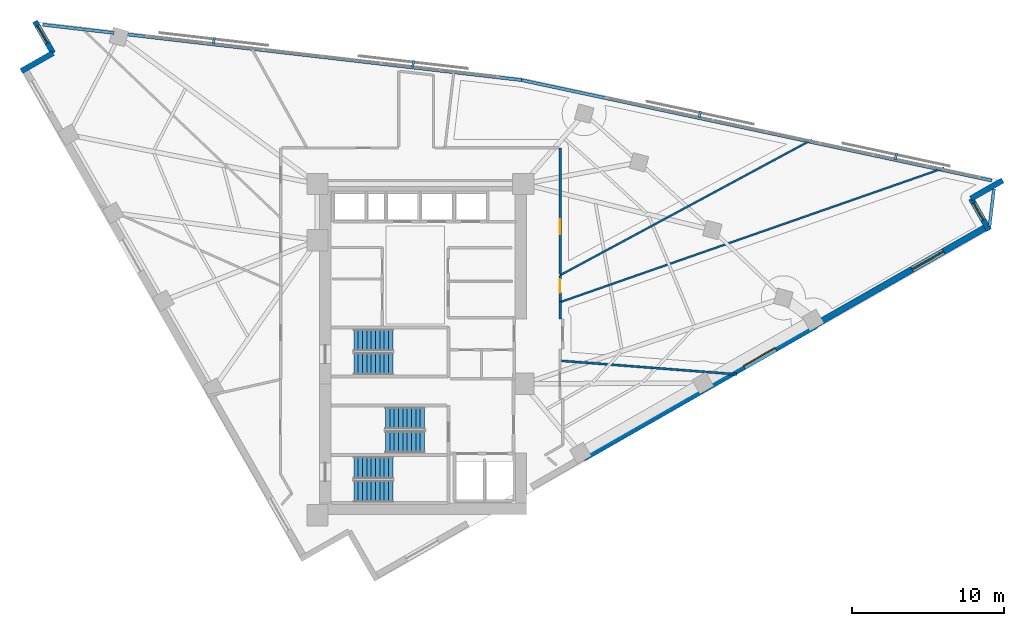
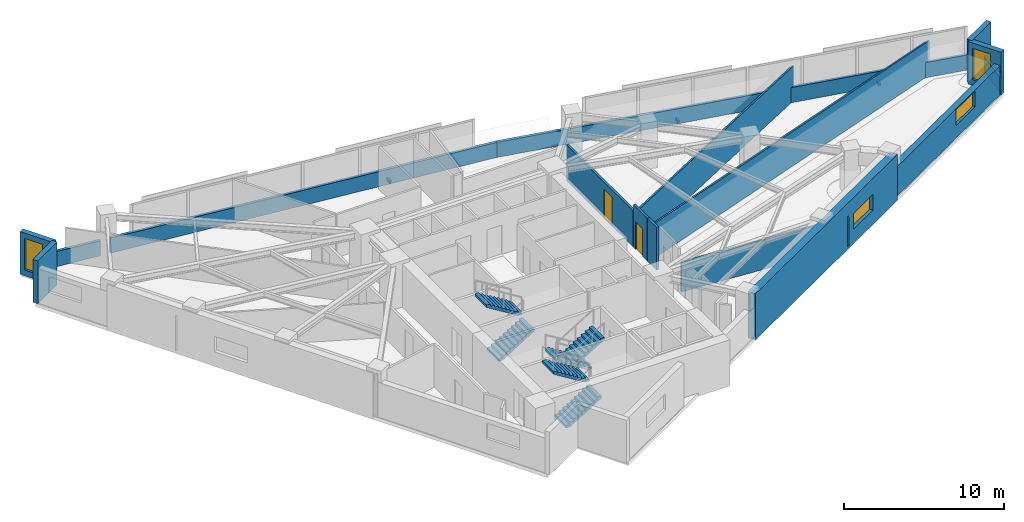
# One storey, part 12 of 14: 16 walls, 6 stair flights, 4 discrete accessories, 4 windows, 2 doors, 6 openings, 3 elements without a shape of their own.
"""IFC4 building model written with IfcOpenShell, lengths in metres."""

from ifc_helpers import new_model, si_unit, direction, frame, frame_2d, origin, origin_2d, place, context, subcontext, project, spatial, polyline, rectangle, outline, extrude, material, layer, layer_set, type_object, element, fill, aggregate, save


model = new_model("IFC4")

# Units and contexts
model_context = context("Model", 3, precision=1e-05, world=origin(), true_north=direction((0.0, 1.0)))
body_context = subcontext(model_context, "Body", "Model", "MODEL_VIEW")
ifc_project = project(units=[si_unit("LENGTHUNIT", "METRE"), si_unit("AREAUNIT", "SQUARE_METRE"), si_unit("VOLUMEUNIT", "CUBIC_METRE"), si_unit("PLANEANGLEUNIT", "RADIAN"), si_unit("MASSUNIT", "GRAM", prefix="KILO")], contexts=[model_context])

# Site, building, storey
site_placement = place(None, origin())
site = spatial("IfcSite", under=ifc_project, at=site_placement, CompositionType="ELEMENT")
building_placement = place(site_placement, origin())
building = spatial("IfcBuilding", under=site, at=building_placement, Name="Narakoshi Arena Tower", CompositionType="ELEMENT")
storey_placement = place(building_placement, frame((0.0, 0.0, 218.5)))
storey = spatial("IfcBuildingStorey", under=building, at=storey_placement, Name="L59", CompositionType="ELEMENT", Elevation=218.5)

# Wall
ifc_material_1 = material(Name="Gypsum plasterboard fire-rated partition")
ifc_layer_1 = layer(ifc_material_1, 0.1650390625)
ifc_layer_set_1 = layer_set([ifc_layer_1], Name="Gypsum plasterboard fire-rated partition")
wall_type_1 = type_object("IfcWallType", Name="WL-CORR-165", PredefinedType="PARTITIONING", material=ifc_layer_set_1)
wall_1_placement = place(storey_placement, frame((87.97216796875, 47.6201171875, 0.0), z_axis=(0.0, 0.0, 1.0), x_axis=(0.0, 1.0, 0.0)))
element("IfcWall", 1, at=wall_1_placement, inside=storey, type_object=wall_type_1, Name="L59 Corridor Partition 03-2", PredefinedType="PARTITIONING", context=body_context, shape_type="SweptSolid", body=[
    extrude(rectangle(XDim=1.136962890625, YDim=0.1650390625, at=frame_2d((0.568359375, 0.0))), origin(), (0.0, 0.0, 1.0), 3.260009765625),
])

# Wall, opening, door
wall_2_placement = place(storey_placement, frame((87.97216796875, 48.782470703125, 0.0), z_axis=(0.0, 0.0, 1.0), x_axis=(0.0, 1.0, 0.0)))
wall_2 = element("IfcWall", 2, at=wall_2_placement, inside=storey, type_object=wall_type_1, Name="L59 Corridor Partition 04-1", PredefinedType="PARTITIONING", context=body_context, shape_type="SweptSolid", body=[
    extrude(rectangle(XDim=1.711669921875, YDim=0.1650390625, at=frame_2d((0.85595703125, 0.0))), origin(), (0.0, 0.0, 1.0), 3.260009765625),
])
opening_1_placement = place(wall_2_placement, frame((0.5625, 0.0, 0.0)))
opening_1 = element("IfcOpeningElement", 3, at=opening_1_placement, cuts=wall_2, Name="Opening D-08", PredefinedType="OPENING", context=body_context, shape_type="SweptSolid", body=[
    extrude(rectangle(XDim=0.89990234375, YDim=2.10009765625, at=frame_2d((0.449951171875, 1.050048828125))), frame((0.0, 0.092529296875, 0.0), z_axis=(0.0, -1.0, 0.0), x_axis=(1.0, 0.0, 0.0)), (0.0, 0.0, 1.0), 0.18505859375),
])
ifc_material_2 = material(Name="Moisture-resistant laminate timber", Category="wood")
door_type_1 = type_object("IfcDoorType", Name="DR-WC-900", OperationType="NOTDEFINED", PredefinedType="DOOR", material=ifc_material_2)
door_1_placement = place(opening_1_placement, frame((0.89990234375, 0.0, 0.0), z_axis=(0.0, 0.0, 1.0), x_axis=(-1.0, 0.0, 0.0)))
door_1 = element("IfcDoor", 4, at=door_1_placement, inside=storey, type_object=door_type_1, Name="DR-L59-020", OperationType="SINGLE_SWING_RIGHT", OverallHeight=2.10009765625, OverallWidth=0.89990234375, PredefinedType="DOOR", context=body_context, shape_type="SweptSolid", body=[
    extrude(rectangle(XDim=0.89990234375, YDim=2.10009765625, at=frame_2d((0.449951171875, 1.050048828125))), frame((0.0, 0.02490234375, 0.0), z_axis=(0.0, -1.0, 0.0), x_axis=(1.0, 0.0, 0.0)), (0.0, 0.0, 1.0), 0.050048828125),
])
fill(opening_1, door_1)

wall_3_placement = place(storey_placement, frame((87.97216796875, 50.578857421875, 0.0), z_axis=(0.0, 0.0, 1.0), x_axis=(0.0, 1.0, 0.0)))
wall_3 = element("IfcWall", 5, at=wall_3_placement, inside=storey, type_object=wall_type_1, Name="L59 Corridor Partition 05-1", PredefinedType="PARTITIONING", context=body_context, shape_type="SweptSolid", body=[
    extrude(rectangle(XDim=8.29345703125, YDim=0.1650390625, at=frame_2d((4.146728515625, 0.0))), origin(), (0.0, 0.0, 1.0), 2.7451171875),
])
opening_2_placement = place(wall_3_placement, frame((2.61279296875, 0.0, 0.0)))
opening_2 = element("IfcOpeningElement", 6, at=opening_2_placement, cuts=wall_3, Name="Opening D-06", PredefinedType="OPENING", context=body_context, shape_type="SweptSolid", body=[
    extrude(rectangle(XDim=1.0, YDim=2.199951171875, at=frame_2d((0.5, 1.10009765625))), frame((0.0, 0.092529296875, 0.0), z_axis=(0.0, -1.0, 0.0), x_axis=(1.0, 0.0, 0.0)), (0.0, 0.0, 1.0), 0.18505859375),
])
ifc_material_3 = material(Name="Stained oak solid-core timber", Category="wood")
door_type_2 = type_object("IfcDoorType", Name="DR-OFF-1000", OperationType="NOTDEFINED", PredefinedType="DOOR", material=ifc_material_3)
door_2_placement = place(opening_2_placement, frame((1.0, 0.0, 0.0), z_axis=(0.0, 0.0, 1.0), x_axis=(-1.0, 0.0, 0.0)))
door_2 = element("IfcDoor", 7, at=door_2_placement, inside=storey, type_object=door_type_2, Name="DR-L59-021", OperationType="SINGLE_SWING_LEFT", OverallHeight=2.199951171875, OverallWidth=1.0, PredefinedType="DOOR", context=body_context, shape_type="SweptSolid", body=[
    extrude(rectangle(XDim=1.0, YDim=2.199951171875, at=frame_2d((0.5, 1.10009765625))), frame((0.0, 0.02490234375, 0.0), z_axis=(0.0, -1.0, 0.0), x_axis=(1.0, 0.0, 0.0)), (0.0, 0.0, 1.0), 0.050048828125),
])
fill(opening_2, door_2)

# Wall, opening, window
ifc_material_4 = material(Name="Concrete C50/60", Category="concrete")
ifc_layer_2 = layer(ifc_material_4, 0.550048828125)
ifc_layer_set_2 = layer_set([ifc_layer_2], Name="Concrete C50/60")
wall_type_2 = type_object("IfcWallType", Name="WL-LEG-550", PredefinedType="SHEAR", material=ifc_layer_set_2)
wall_4_placement = place(storey_placement, frame((89.479248046875, 38.4990234375, -0.260009765625), z_axis=(0.0, 0.0, 1.0), x_axis=(0.868197136736, 0.496219439123, 0.0)))
wall_4 = element("IfcWall", 8, at=wall_4_placement, inside=storey, type_object=wall_type_2, Name="L59 Architectural Concrete Structural Wall LEGA-3", PredefinedType="SHEAR", context=body_context, shape_type="SweptSolid", body=[
    extrude(rectangle(XDim=17.63623046875, YDim=0.550048828125, at=frame_2d((8.818115234375, 0.0))), origin(), (0.0, 0.0, 1.0), 3.52001953125),
])
opening_3_placement = place(wall_4_placement, frame((12.163818359375, 0.0, 1.10009765625)))
opening_3 = element("IfcOpeningElement", 9, at=opening_3_placement, cuts=wall_4, Name="Opening WN-04", PredefinedType="OPENING", context=body_context, shape_type="SweptSolid", body=[
    extrude(rectangle(XDim=2.39990234375, YDim=1.199951171875, at=frame_2d((1.199951171875, 0.60009765625))), frame((0.0, 0.284912109375, 0.0), z_axis=(0.0, -1.0, 0.0), x_axis=(1.0, 0.0, 0.0)), (0.0, 0.0, 1.0), 0.570068359375),
])
ifc_material_5 = material(Name="Bronze-tinted low-E laminated glass", Category="glass")
window_type_1 = type_object("IfcWindowType", Name="WIN-SLT-24x12", PartitioningType="SINGLE_PANEL", PredefinedType="WINDOW", material=ifc_material_5)
window_1_placement = place(opening_3_placement, origin())
window_1 = element("IfcWindow", 10, at=window_1_placement, inside=storey, type_object=window_type_1, Name="L59 LEGA3 Horizontal Slot Window 1", OverallHeight=1.199951171875, OverallWidth=2.39990234375, PartitioningType="SINGLE_PANEL", PredefinedType="WINDOW", context=body_context, shape_type="SweptSolid", body=[
    extrude(rectangle(XDim=2.39990234375, YDim=1.199951171875, at=frame_2d((1.199951171875, 0.60009765625))), frame((0.0, 0.030029296875, 0.0), z_axis=(0.0, -1.0, 0.0), x_axis=(1.0, 0.0, 0.0)), (0.0, 0.0, 1.0), 0.06005859375),
])
fill(opening_3, window_1)

# Walls
ifc_material_6 = material(Name="Precast concrete C45/55", Category="concrete")
ifc_layer_3 = layer(ifc_material_6, 0.25)
ifc_layer_set_3 = layer_set([ifc_layer_3], Name="Precast concrete C45/55")
wall_type_3 = type_object("IfcWallType", Name="WL-PARA-250", PredefinedType="PARAPET", material=ifc_layer_set_3)
wall_5_placement = place(storey_placement, frame((116.2392578125, 53.70849609375, 0.0), z_axis=(0.0, 0.0, 1.0), x_axis=(0.117587871261, 0.993062481686, 0.0)))
element("IfcWall", 11, at=wall_5_placement, inside=storey, type_object=wall_type_3, Name="L59 Architectural Setback Ledge Parapet", PredefinedType="PARAPET", context=body_context, shape_type="SweptSolid", body=[
    extrude(rectangle(XDim=2.4853515625, YDim=0.199951171875, at=frame_2d((1.24267578125, 0.0))), origin(), (0.0, 0.0, 1.0), 1.14990234375),
])
wall_6_placement = place(storey_placement, frame((116.3955078125, 56.7216796875, 0.0), z_axis=(0.0, 0.0, 1.0), x_axis=(-0.977936620644, 0.208901809478, 0.0)))
element("IfcWall", 12, at=wall_6_placement, inside=storey, type_object=wall_type_3, Name="L59 Hypotenuse Sill Upstand Parapet 1-01", PredefinedType="PARAPET", context=body_context, shape_type="SweptSolid", body=[
    extrude(rectangle(XDim=31.685302734375, YDim=0.199951171875, at=frame_2d((15.8427734375, 0.0))), origin(), (0.0, 0.0, 1.0), 1.14990234375),
])
wall_7_placement = place(storey_placement, frame((85.42431640625, 63.33837890625, 0.0), z_axis=(0.0, 0.0, 1.0), x_axis=(-0.993364714048, 0.115006716693, 0.0)))
element("IfcWall", 13, at=wall_7_placement, inside=storey, type_object=wall_type_3, Name="L59 Hypotenuse Sill Upstand Parapet 2-01", PredefinedType="PARAPET", context=body_context, shape_type="SweptSolid", body=[
    extrude(rectangle(XDim=26.302001953125, YDim=0.199951171875, at=frame_2d((13.15087890625, 0.0))), origin(), (0.0, 0.0, 1.0), 1.14990234375),
])
wall_8_placement = place(storey_placement, frame((58.621826171875, 66.44140625, 0.0), z_axis=(0.0, 0.0, 1.0), x_axis=(-0.993362937665, 0.115022059074, 0.0)))
element("IfcWall", 14, at=wall_8_placement, inside=storey, type_object=wall_type_3, Name="L59 Hypotenuse Sill Upstand Parapet 2-02", PredefinedType="PARAPET", context=body_context, shape_type="SweptSolid", body=[
    extrude(rectangle(XDim=4.72705078125, YDim=0.199951171875, at=frame_2d((2.363525390625, 0.0))), origin(), (0.0, 0.0, 1.0), 1.14990234375),
])
ifc_layer_4 = layer(ifc_material_1, 0.125)
ifc_layer_set_4 = layer_set([ifc_layer_4], Name="Gypsum plasterboard fire-rated partition")
wall_type_4 = type_object("IfcWallType", Name="WL-PART-125", PredefinedType="PARTITIONING", material=ifc_layer_set_4)
wall_9_placement = place(storey_placement, frame((88.066650390625, 48.75537109375, 0.0), z_axis=(0.0, 0.0, 1.0), x_axis=(0.943999520405, 0.329946822193, 0.0)))
element("IfcWall", 15, at=wall_9_placement, inside=storey, type_object=wall_type_4, Name="L59 Inter-Room Partition 03-04", PredefinedType="PARTITIONING", context=body_context, shape_type="SweptSolid", body=[
    extrude(rectangle(XDim=26.677001953125, YDim=0.125, at=frame_2d((13.33837890625, 0.0))), origin(), (0.0, 0.0, 1.0), 2.64501953125),
])
wall_10_placement = place(storey_placement, frame((87.97216796875, 50.494140625, 0.0), z_axis=(0.0, 0.0, 1.0), x_axis=(0.880551461311, 0.473950550146, 0.0)))
element("IfcWall", 16, at=wall_10_placement, inside=storey, type_object=wall_type_4, Name="L59 Inter-Room Partition 04-05", PredefinedType="PARTITIONING", context=body_context, shape_type="SweptSolid", body=[
    extrude(rectangle(XDim=18.824462890625, YDim=0.125, at=frame_2d((9.412109375, 0.0))), origin(), (0.0, 0.0, 1.0), 2.64501953125),
])

# Wall, opening, window
ifc_layer_5 = layer(ifc_material_6, 0.419921875)
ifc_layer_set_5 = layer_set([ifc_layer_5], Name="Precast concrete C45/55")
wall_type_5 = type_object("IfcWallType", Name="WL-POD-420", PredefinedType="SOLIDWALL", material=ifc_layer_set_5)
wall_11_placement = place(storey_placement, frame((104.791015625, 47.25048828125, 0.0), z_axis=(0.0, 0.0, 1.0), x_axis=(0.868193423982, 0.496225934987, 0.0)))
wall_11 = element("IfcWall", 17, at=wall_11_placement, inside=storey, type_object=wall_type_5, Name="L59 Architectural Concrete Facade Wall LEGA-4", PredefinedType="SOLIDWALL", context=body_context, shape_type="SweptSolid", body=[
    extrude(rectangle(XDim=12.9951171875, YDim=0.419921875, at=frame_2d((6.49755859375, 0.0))), origin(), (0.0, 0.0, 1.0), 2.2451171875),
])
opening_4_placement = place(wall_11_placement, frame((7.309814453125, 0.0, 0.965087890625)))
opening_4 = element("IfcOpeningElement", 18, at=opening_4_placement, cuts=wall_11, Name="Opening WN-04", PredefinedType="OPENING", context=body_context, shape_type="SweptSolid", body=[
    extrude(rectangle(XDim=2.39990234375, YDim=1.199951171875, at=frame_2d((1.199951171875, 0.60009765625))), frame((0.0, 0.219970703125, 0.0), z_axis=(0.0, -1.0, 0.0), x_axis=(1.0, 0.0, 0.0)), (0.0, 0.0, 1.0), 0.43994140625),
])
window_2_placement = place(opening_4_placement, origin())
window_2 = element("IfcWindow", 19, at=window_2_placement, inside=storey, type_object=window_type_1, Name="L59 LEGA4 Horizontal Slot Window 1", OverallHeight=1.199951171875, OverallWidth=2.39990234375, PartitioningType="SINGLE_PANEL", PredefinedType="WINDOW", context=body_context, shape_type="SweptSolid", body=[
    extrude(rectangle(XDim=2.39990234375, YDim=1.199951171875, at=frame_2d((1.199951171875, 0.60009765625))), frame((0.0, 0.030029296875, 0.0), z_axis=(0.0, -1.0, 0.0), x_axis=(1.0, 0.0, 0.0)), (0.0, 0.0, 1.0), 0.06005859375),
])
fill(opening_4, window_2)

wall_12_placement = place(storey_placement, frame((116.209716796875, 53.460205078125, 0.0), z_axis=(0.0, 0.0, 1.0), x_axis=(-0.496215637313, 0.868199309655, 0.0)))
wall_12 = element("IfcWall", 20, at=wall_12_placement, inside=storey, type_object=wall_type_5, Name="L59 Re-Entrant Corner Notch Wall NTE-1", PredefinedType="SOLIDWALL", context=body_context, shape_type="SweptSolid", body=[
    extrude(rectangle(XDim=2.3994140625, YDim=0.360107421875, at=frame_2d((1.19970703125, 0.0))), origin(), (0.0, 0.0, 1.0), 3.260009765625),
])
opening_5_placement = place(wall_12_placement, frame((0.759765625, 0.0, 0.449951171875)))
opening_5 = element("IfcOpeningElement", 21, at=opening_5_placement, cuts=wall_12, Name="Opening WN-06", PredefinedType="OPENING", context=body_context, shape_type="SweptSolid", body=[
    extrude(rectangle(XDim=1.300048828125, YDim=2.39990234375, at=frame_2d((0.64990234375, 1.199951171875))), frame((0.0, 0.18994140625, 0.0), z_axis=(0.0, -1.0, 0.0), x_axis=(1.0, 0.0, 0.0)), (0.0, 0.0, 1.0), 0.380126953125),
])
window_type_2 = type_object("IfcWindowType", Name="WIN-NTC-16x24", PartitioningType="SINGLE_PANEL", PredefinedType="WINDOW", material=ifc_material_5)
window_3_placement = place(opening_5_placement, origin())
window_3 = element("IfcWindow", 22, at=window_3_placement, inside=storey, type_object=window_type_2, Name="L59 Corner Notch Window NTE", OverallHeight=2.39990234375, OverallWidth=1.300048828125, PartitioningType="SINGLE_PANEL", PredefinedType="WINDOW", context=body_context, shape_type="SweptSolid", body=[
    extrude(rectangle(XDim=1.300048828125, YDim=2.39990234375, at=frame_2d((0.64990234375, 1.199951171875))), frame((0.0, 0.030029296875, 0.0), z_axis=(0.0, -1.0, 0.0), x_axis=(1.0, 0.0, 0.0)), (0.0, 0.0, 1.0), 0.06005859375),
])
fill(opening_5, window_3)

# Wall
wall_13_placement = place(storey_placement, frame((115.01904296875, 55.54345703125, 0.0), z_axis=(0.0, 0.0, 1.0), x_axis=(0.86818053093, 0.4962484919, 0.0)))
element("IfcWall", 23, at=wall_13_placement, inside=storey, type_object=wall_type_5, Name="L59 Re-Entrant Corner Notch Wall NTE-2", PredefinedType="SOLIDWALL", context=body_context, shape_type="SweptSolid", body=[
    extrude(rectangle(XDim=2.39990234375, YDim=0.360107421875, at=frame_2d((1.199951171875, 0.0))), origin(), (0.0, 0.0, 1.0), 3.260009765625),
])

# Wall, opening, window
wall_14_placement = place(storey_placement, frame((53.408203125, 67.2060546875, 0.0), z_axis=(0.0, 0.0, 1.0), x_axis=(0.496292324652, -0.868155474838, 0.0)))
wall_14 = element("IfcWall", 24, at=wall_14_placement, inside=storey, type_object=wall_type_5, Name="L59 Re-Entrant Corner Notch Wall NTN-1", PredefinedType="SOLIDWALL", context=body_context, shape_type="SweptSolid", body=[
    extrude(rectangle(XDim=2.399658203125, YDim=0.360107421875, at=frame_2d((1.19970703125, 0.0))), origin(), (0.0, 0.0, 1.0), 3.260009765625),
])
opening_6_placement = place(wall_14_placement, frame((0.340087890625, 0.0, 0.449951171875)))
opening_6 = element("IfcOpeningElement", 25, at=opening_6_placement, cuts=wall_14, Name="Opening WN-06", PredefinedType="OPENING", context=body_context, shape_type="SweptSolid", body=[
    extrude(rectangle(XDim=1.300048828125, YDim=2.39990234375, at=frame_2d((0.64990234375, 1.199951171875))), frame((0.0, 0.18994140625, 0.0), z_axis=(0.0, -1.0, 0.0), x_axis=(1.0, 0.0, 0.0)), (0.0, 0.0, 1.0), 0.380126953125),
])
window_4_placement = place(opening_6_placement, origin())
window_4 = element("IfcWindow", 26, at=window_4_placement, inside=storey, type_object=window_type_2, Name="L59 Corner Notch Window NTN", OverallHeight=2.39990234375, OverallWidth=1.300048828125, PartitioningType="SINGLE_PANEL", PredefinedType="WINDOW", context=body_context, shape_type="SweptSolid", body=[
    extrude(rectangle(XDim=1.300048828125, YDim=2.39990234375, at=frame_2d((0.64990234375, 1.199951171875))), frame((0.0, 0.030029296875, 0.0), z_axis=(0.0, -1.0, 0.0), x_axis=(1.0, 0.0, 0.0)), (0.0, 0.0, 1.0), 0.06005859375),
])
fill(opening_6, window_4)

# Walls
wall_15_placement = place(storey_placement, frame((54.59912109375, 65.122802734375, 0.0), z_axis=(0.0, 0.0, 1.0), x_axis=(-0.86818053093, -0.4962484919, 0.0)))
element("IfcWall", 27, at=wall_15_placement, inside=storey, type_object=wall_type_5, Name="L59 Re-Entrant Corner Notch Wall NTN-2", PredefinedType="SOLIDWALL", context=body_context, shape_type="SweptSolid", body=[
    extrude(rectangle(XDim=2.39990234375, YDim=0.360107421875, at=frame_2d((1.199951171875, 0.0))), origin(), (0.0, 0.0, 1.0), 3.260009765625),
])
ifc_material_7 = material(Name="Moisture-resistant cement-board partition")
ifc_layer_6 = layer(ifc_material_7, 0.14501953125)
ifc_layer_set_6 = layer_set([ifc_layer_6], Name="Moisture-resistant cement-board partition")
wall_type_6 = type_object("IfcWallType", Name="WL-WET-145", PredefinedType="PARTITIONING", material=ifc_layer_set_6)
wall_16_placement = place(storey_placement, frame((88.056640625, 44.86376953125, 0.0), z_axis=(0.0, 0.0, 1.0), x_axis=(0.997053618179, -0.07670777324, 0.0)))
element("IfcWall", 28, at=wall_16_placement, inside=storey, type_object=wall_type_6, Name="L59 Inter-Room Partition 02-03", PredefinedType="PARTITIONING", context=body_context, shape_type="SweptSolid", body=[
    extrude(rectangle(XDim=11.591552734375, YDim=0.14501953125, at=frame_2d((5.7958984375, 0.0))), origin(), (0.0, 0.0, 1.0), 2.2451171875),
])

# Stair, stair flights
ifc_material_8 = material(Name="Concrete C45/55", Category="concrete")
stair_type = type_object("IfcStairType", Name="STR-CORE-352", PredefinedType="TWO_STRAIGHT_RUN_STAIR", material=ifc_material_8)
stair_1_placement = place(storey_placement, origin())
stair_1 = element("IfcStair", 29, at=stair_1_placement, inside=storey, type_object=stair_type, Name="L59 Core Escape Stair ST1", PredefinedType="TWO_STRAIGHT_RUN_STAIR")
stair_flight_type = type_object("IfcStairFlightType", Name="FLT-145-160", PredefinedType="STRAIGHT", material=ifc_material_6)
stair_flight_1_placement = place(storey_placement, frame((74.39990234375, 36.27490234375, 0.0), z_axis=(0.0, 0.0, 1.0), x_axis=(1.0, 0.0, 0.0)))
stair_flight_1 = element("IfcStairFlight", 30, at=stair_flight_1_placement, type_object=stair_flight_type, Name="ST1 flight 1", NumberOfRisers=10, NumberOfTreads=9, PredefinedType="STRAIGHT", RiserHeight=0.176, TreadLength=0.285, context=body_context, shape_type="SweptSolid", body=[
    extrude(outline(polyline([(0.0, 0.0), (0.0, 0.176025390625), (0.284912109375, 0.176025390625), (0.284912109375, 0.35205078125), (0.570068359375, 0.35205078125), (0.570068359375, 0.528076171875), (0.85498046875, 0.528076171875), (0.85498046875, 0.7041015625), (1.139892578125, 0.7041015625), (1.139892578125, 0.8798828125), (1.425048828125, 0.8798828125), (1.425048828125, 1.055908203125), (1.7099609375, 1.055908203125), (1.7099609375, 1.23193359375), (1.9951171875, 1.23193359375), (1.9951171875, 1.407958984375), (2.280029296875, 1.407958984375), (2.280029296875, 1.583984375), (2.56494140625, 1.583984375), (2.56494140625, 1.760009765625), (2.56494140625, 1.40771484375), (0.285400390625, 0.0), (0.0, 0.0)])), frame((0.0, 0.72509765625, 0.0), z_axis=(0.0, -1.0, 0.0), x_axis=(1.0, 0.0, 0.0)), (0.0, 0.0, 1.0), 1.449951171875),
])
stair_flight_2_placement = place(storey_placement, frame((76.965087890625, 37.824951171875, 1.760009765625), z_axis=(0.0, 0.0, 1.0), x_axis=(-1.0, 0.0, 0.0)))
stair_flight_2 = element("IfcStairFlight", 31, at=stair_flight_2_placement, type_object=stair_flight_type, Name="ST1 flight 2", NumberOfRisers=10, NumberOfTreads=9, PredefinedType="STRAIGHT", RiserHeight=0.176, TreadLength=0.285, context=body_context, shape_type="SweptSolid", body=[
    extrude(outline(polyline([(0.0, 0.0), (0.0, 0.176025390625), (0.284912109375, 0.176025390625), (0.284912109375, 0.35205078125), (0.570068359375, 0.35205078125), (0.570068359375, 0.528076171875), (0.85498046875, 0.528076171875), (0.85498046875, 0.7041015625), (1.139892578125, 0.7041015625), (1.139892578125, 0.8798828125), (1.425048828125, 0.8798828125), (1.425048828125, 1.055908203125), (1.7099609375, 1.055908203125), (1.7099609375, 1.23193359375), (1.9951171875, 1.23193359375), (1.9951171875, 1.407958984375), (2.280029296875, 1.407958984375), (2.280029296875, 1.583984375), (2.56494140625, 1.583984375), (2.56494140625, 1.760009765625), (2.56494140625, 1.40771484375), (0.285400390625, 0.0), (0.0, 0.0)])), frame((0.0, 0.72509765625, 0.0), z_axis=(0.0, -1.0, 0.0), x_axis=(1.0, 0.0, 0.0)), (0.0, 0.0, 1.0), 1.449951171875),
])
aggregate(stair_1, [stair_flight_1, stair_flight_2])

stair_2_placement = place(storey_placement, origin())
stair_2 = element("IfcStair", 32, at=stair_2_placement, inside=storey, type_object=stair_type, Name="L59 Core Escape Stair ST2", PredefinedType="TWO_STRAIGHT_RUN_STAIR")
stair_flight_3_placement = place(storey_placement, frame((79.050048828125, 41.074951171875, 0.0), z_axis=(0.0, 0.0, 1.0), x_axis=(-1.0, 0.0, 0.0)))
stair_flight_3 = element("IfcStairFlight", 33, at=stair_flight_3_placement, type_object=stair_flight_type, Name="ST2 flight 1", NumberOfRisers=10, NumberOfTreads=9, PredefinedType="STRAIGHT", RiserHeight=0.176, TreadLength=0.285, context=body_context, shape_type="SweptSolid", body=[
    extrude(outline(polyline([(0.0, 0.0), (0.0, 0.176025390625), (0.284912109375, 0.176025390625), (0.284912109375, 0.35205078125), (0.570068359375, 0.35205078125), (0.570068359375, 0.528076171875), (0.85498046875, 0.528076171875), (0.85498046875, 0.7041015625), (1.139892578125, 0.7041015625), (1.139892578125, 0.8798828125), (1.425048828125, 0.8798828125), (1.425048828125, 1.055908203125), (1.7099609375, 1.055908203125), (1.7099609375, 1.23193359375), (1.9951171875, 1.23193359375), (1.9951171875, 1.407958984375), (2.280029296875, 1.407958984375), (2.280029296875, 1.583984375), (2.56494140625, 1.583984375), (2.56494140625, 1.760009765625), (2.56494140625, 1.40771484375), (0.285400390625, 0.0), (0.0, 0.0)])), frame((0.0, 0.72509765625, 0.0), z_axis=(0.0, -1.0, 0.0), x_axis=(1.0, 0.0, 0.0)), (0.0, 0.0, 1.0), 1.449951171875),
])
stair_flight_4_placement = place(storey_placement, frame((76.485107421875, 39.52490234375, 1.760009765625), z_axis=(0.0, 0.0, 1.0), x_axis=(1.0, 0.0, 0.0)))
stair_flight_4 = element("IfcStairFlight", 34, at=stair_flight_4_placement, type_object=stair_flight_type, Name="ST2 flight 2", NumberOfRisers=10, NumberOfTreads=9, PredefinedType="STRAIGHT", RiserHeight=0.176, TreadLength=0.285, context=body_context, shape_type="SweptSolid", body=[
    extrude(outline(polyline([(0.0, 0.0), (0.0, 0.176025390625), (0.284912109375, 0.176025390625), (0.284912109375, 0.35205078125), (0.570068359375, 0.35205078125), (0.570068359375, 0.528076171875), (0.85498046875, 0.528076171875), (0.85498046875, 0.7041015625), (1.139892578125, 0.7041015625), (1.139892578125, 0.8798828125), (1.425048828125, 0.8798828125), (1.425048828125, 1.055908203125), (1.7099609375, 1.055908203125), (1.7099609375, 1.23193359375), (1.9951171875, 1.23193359375), (1.9951171875, 1.407958984375), (2.280029296875, 1.407958984375), (2.280029296875, 1.583984375), (2.56494140625, 1.583984375), (2.56494140625, 1.760009765625), (2.56494140625, 1.40771484375), (0.285400390625, 0.0), (0.0, 0.0)])), frame((0.0, 0.72509765625, 0.0), z_axis=(0.0, -1.0, 0.0), x_axis=(1.0, 0.0, 0.0)), (0.0, 0.0, 1.0), 1.449951171875),
])
aggregate(stair_2, [stair_flight_3, stair_flight_4])

stair_3_placement = place(storey_placement, origin())
stair_3 = element("IfcStair", 35, at=stair_3_placement, inside=storey, type_object=stair_type, Name="L59 Core Escape Stair ST3", PredefinedType="TWO_STRAIGHT_RUN_STAIR")
stair_flight_5_placement = place(storey_placement, frame((74.39990234375, 44.675048828125, 0.0), z_axis=(0.0, 0.0, 1.0), x_axis=(1.0, 0.0, 0.0)))
stair_flight_5 = element("IfcStairFlight", 36, at=stair_flight_5_placement, type_object=stair_flight_type, Name="ST3 flight 1", NumberOfRisers=10, NumberOfTreads=9, PredefinedType="STRAIGHT", RiserHeight=0.176, TreadLength=0.285, context=body_context, shape_type="SweptSolid", body=[
    extrude(outline(polyline([(0.0, 0.0), (0.0, 0.176025390625), (0.284912109375, 0.176025390625), (0.284912109375, 0.35205078125), (0.570068359375, 0.35205078125), (0.570068359375, 0.528076171875), (0.85498046875, 0.528076171875), (0.85498046875, 0.7041015625), (1.139892578125, 0.7041015625), (1.139892578125, 0.8798828125), (1.425048828125, 0.8798828125), (1.425048828125, 1.055908203125), (1.7099609375, 1.055908203125), (1.7099609375, 1.23193359375), (1.9951171875, 1.23193359375), (1.9951171875, 1.407958984375), (2.280029296875, 1.407958984375), (2.280029296875, 1.583984375), (2.56494140625, 1.583984375), (2.56494140625, 1.760009765625), (2.56494140625, 1.40771484375), (0.285400390625, 0.0), (0.0, 0.0)])), frame((0.0, 0.72509765625, 0.0), z_axis=(0.0, -1.0, 0.0), x_axis=(1.0, 0.0, 0.0)), (0.0, 0.0, 1.0), 1.449951171875),
])
stair_flight_6_placement = place(storey_placement, frame((76.965087890625, 46.22509765625, 1.760009765625), z_axis=(0.0, 0.0, 1.0), x_axis=(-1.0, 0.0, 0.0)))
stair_flight_6 = element("IfcStairFlight", 37, at=stair_flight_6_placement, type_object=stair_flight_type, Name="ST3 flight 2", NumberOfRisers=10, NumberOfTreads=9, PredefinedType="STRAIGHT", RiserHeight=0.176, TreadLength=0.285, context=body_context, shape_type="SweptSolid", body=[
    extrude(outline(polyline([(0.0, 0.0), (0.0, 0.176025390625), (0.284912109375, 0.176025390625), (0.284912109375, 0.35205078125), (0.570068359375, 0.35205078125), (0.570068359375, 0.528076171875), (0.85498046875, 0.528076171875), (0.85498046875, 0.7041015625), (1.139892578125, 0.7041015625), (1.139892578125, 0.8798828125), (1.425048828125, 0.8798828125), (1.425048828125, 1.055908203125), (1.7099609375, 1.055908203125), (1.7099609375, 1.23193359375), (1.9951171875, 1.23193359375), (1.9951171875, 1.407958984375), (2.280029296875, 1.407958984375), (2.280029296875, 1.583984375), (2.56494140625, 1.583984375), (2.56494140625, 1.760009765625), (2.56494140625, 1.40771484375), (0.285400390625, 0.0), (0.0, 0.0)])), frame((0.0, 0.72509765625, 0.0), z_axis=(0.0, -1.0, 0.0), x_axis=(1.0, 0.0, 0.0)), (0.0, 0.0, 1.0), 1.449951171875),
])
aggregate(stair_3, [stair_flight_5, stair_flight_6])

# Discrete accessories
ifc_material_9 = material(Name="Structural steel S355J2", Category="steel")
discrete_accessory_type = type_object("IfcDiscreteAccessoryType", Name="ACC-BRK-SCR", PredefinedType="BRACKET", material=ifc_material_9)
for number, where, z_axis, x_axis, name in (
    (38, (110.078125, 58.316650390625, -0.080078125), (0.0, 0.0, 1.0), (-0.977936632473, 0.208901754101, 0.0), "L59 Solar Screen Support Bracket SHD-L59-SCR1-1"),
    (39, (97.169189453125, 61.07421875, -0.080078125), (0.0, 0.0, 1.0), (-0.977936632473, 0.208901754101, 0.0), "L59 Solar Screen Support Bracket SHD-L59-SCR1-2"),
    (40, (78.2998046875, 64.40478515625, -0.080078125), (0.0, 0.0, 1.0), (-0.993364739053, 0.115006500715, 0.0), "L59 Solar Screen Support Bracket SHD-L59-SCR2-1"),
    (41, (65.187255859375, 65.9228515625, -0.080078125), (0.0, 0.0, 1.0), (-0.993364739053, 0.115006500715, 0.0), "L59 Solar Screen Support Bracket SHD-L59-SCR2-2"),
):
    element("IfcDiscreteAccessory", number, at=place(storey_placement, frame(where, z_axis=z_axis, x_axis=x_axis)), inside=storey, type_object=discrete_accessory_type, Name=name, PredefinedType="BRACKET", context=body_context, shape_type="SweptSolid", body=[
        extrude(rectangle(XDim=0.159912109375, YDim=0.43994140625, at=origin_2d()), origin(), (0.0, 0.0, 1.0), 0.199951171875),
    ])

save(model, "model.ifc")
